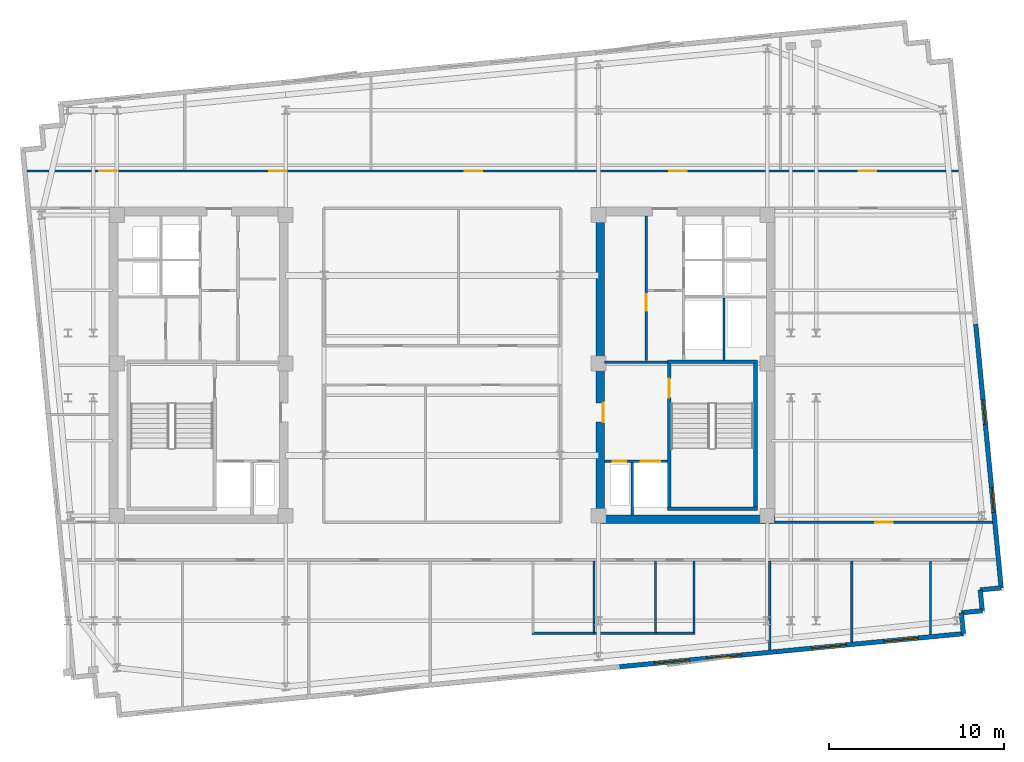
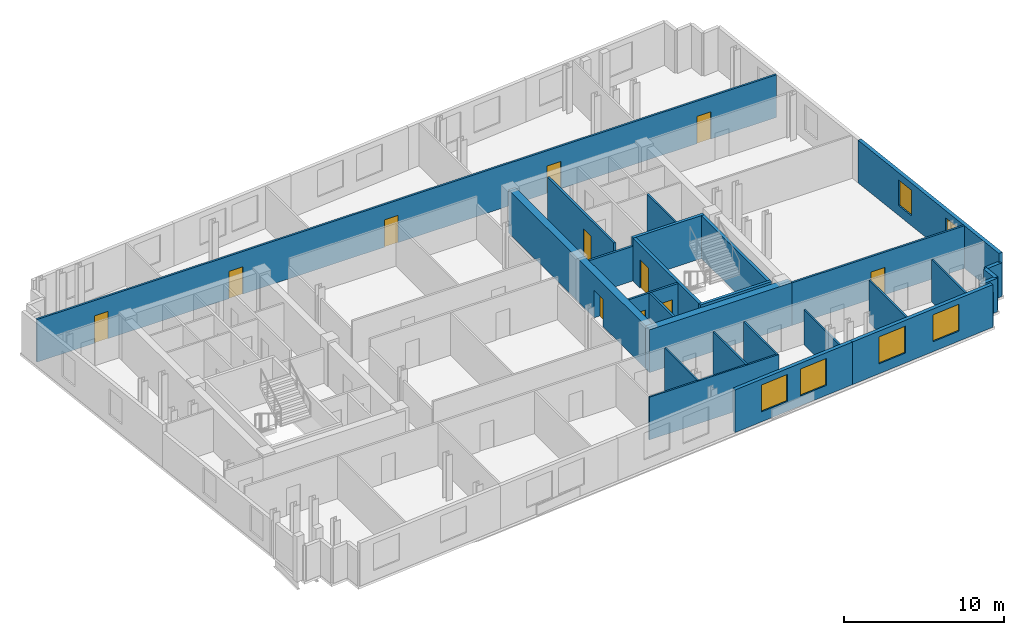
# One storey, part 5 of 9: 27 walls, 11 doors, 6 windows, 17 openings.
"""IFC4 building model written with IfcOpenShell, lengths in metres."""

from ifc_helpers import new_model, si_unit, direction, frame, frame_2d, origin, place, context, subcontext, project, spatial, rectangle, extrude, material, layer, layer_set, type_object, element, fill, save


model = new_model("IFC4")

# Units and contexts
model_context = context("Model", 3, precision=1e-05, world=origin(), true_north=direction((0.0, 1.0)))
body_context = subcontext(model_context, "Body", "Model", "MODEL_VIEW")
ifc_project = project(units=[si_unit("LENGTHUNIT", "METRE"), si_unit("AREAUNIT", "SQUARE_METRE"), si_unit("VOLUMEUNIT", "CUBIC_METRE"), si_unit("PLANEANGLEUNIT", "RADIAN"), si_unit("MASSUNIT", "GRAM", prefix="KILO")], contexts=[model_context])

# Site, building, storey
site_placement = place(None, origin())
site = spatial("IfcSite", under=ifc_project, at=site_placement, CompositionType="ELEMENT")
building_placement = place(site_placement, origin())
building = spatial("IfcBuilding", under=site, at=building_placement, Name="Velakula Bourse", CompositionType="ELEMENT")
storey_placement = place(building_placement, frame((0.0, 0.0, 265.5)))
storey = spatial("IfcBuildingStorey", under=building, at=storey_placement, Name="L72", CompositionType="ELEMENT", Elevation=265.5)

# Wall, opening, door
ifc_material_1 = material(Name="Concrete M50 (fck 50 MPa)", Category="concrete")
ifc_layer_1 = layer(ifc_material_1, 0.2099609375, Name="Concrete M50 (fck 50 MPa)", Category="concrete")
ifc_layer_set_1 = layer_set([ifc_layer_1], Name="Concrete M50 (fck 50 MPa)")
wall_type_1 = type_object("IfcWallType", Name="WL-CORE-210", PredefinedType="SHEAR", material=ifc_layer_set_1)
wall_1_placement = place(storey_placement, frame((12.9951171875, -8.10009765625, 0.0), z_axis=(0.0, 0.0, 1.0), x_axis=(0.0, 1.0, 0.0)))
wall_1 = element("IfcWall", 1, at=wall_1_placement, inside=storey, type_object=wall_type_1, Name="L72 Core E Stairwell Shear Wall IN", PredefinedType="SHEAR", context=body_context, shape_type="SweptSolid", body=[
    extrude(rectangle(XDim=8.2001953125, YDim=0.2099609375, at=frame_2d((4.10009765625, 0.0))), origin(), (0.0, 0.0, 1.0), 3.27001953125),
])
opening_1_placement = place(wall_1_placement, frame((6.25, 0.0, 0.0)))
opening_1 = element("IfcOpeningElement", 2, at=opening_1_placement, cuts=wall_1, Name="Opening D-STE1", PredefinedType="OPENING", context=body_context, shape_type="SweptSolid", body=[
    extrude(rectangle(XDim=1.10009765625, YDim=2.14990234375, at=frame_2d((0.550048828125, 1.074951171875))), frame((0.0, 0.114990234375, 0.0), z_axis=(0.0, -1.0, 0.0), x_axis=(1.0, 0.0, 0.0)), (0.0, 0.0, 1.0), 0.22998046875),
])
ifc_material_2 = material(Name="Galvanised painted hollow steel fire door", Category="steel")
door_type_1 = type_object("IfcDoorType", Name="DR-FD120-1100x2150", OperationType="NOTDEFINED", PredefinedType="DOOR", material=ifc_material_2)
door_1_placement = place(opening_1_placement, origin())
door_1 = element("IfcDoor", 3, at=door_1_placement, inside=storey, type_object=door_type_1, Name="L72 Stair ST-E1 Fire Door", OperationType="SINGLE_SWING_RIGHT", OverallHeight=2.14990234375, OverallWidth=1.10009765625, PredefinedType="DOOR", context=body_context, shape_type="SweptSolid", body=[
    extrude(rectangle(XDim=1.10009765625, YDim=2.14990234375, at=frame_2d((0.550048828125, 1.074951171875))), frame((0.0, 0.02490234375, 0.0), z_axis=(0.0, -1.0, 0.0), x_axis=(1.0, 0.0, 0.0)), (0.0, 0.0, 1.0), 0.050048828125),
])
fill(opening_1, door_1)

# Walls
wall_2_placement = place(storey_placement, frame((17.925048828125, -8.10009765625, 0.0), z_axis=(0.0, 0.0, 1.0), x_axis=(0.0, 1.0, 0.0)))
element("IfcWall", 4, at=wall_2_placement, inside=storey, type_object=wall_type_1, Name="L72 Core E Stairwell Shear Wall OUT", PredefinedType="SHEAR", context=body_context, shape_type="SweptSolid", body=[
    extrude(rectangle(XDim=8.2001953125, YDim=0.2099609375, at=frame_2d((4.10009765625, 0.0))), origin(), (0.0, 0.0, 1.0), 3.27001953125),
])
for number, where, z_axis, x_axis, name in (
    (5, (12.889892578125, -8.205078125, 0.0), (0.0, 0.0, 1.0), (1.0, 0.0, 0.0), "L72 Core E Stairwell Shear Wall S"),
    (6, (18.030029296875, 0.205078125, 0.0), (0.0, 0.0, 1.0), (-1.0, 0.0, 0.0), "L72 Core E Stairwell Shear Wall N"),
):
    element("IfcWall", number, at=place(storey_placement, frame(where, z_axis=z_axis, x_axis=x_axis)), inside=storey, type_object=wall_type_1, Name=name, PredefinedType="SHEAR", context=body_context, shape_type="SweptSolid", body=[
        extrude(rectangle(XDim=5.14013671875, YDim=0.2099609375, at=frame_2d((2.570068359375, 0.0))), origin(), (0.0, 0.0, 1.0), 3.27001953125),
    ])
ifc_layer_2 = layer(ifc_material_1, 0.5, Name="Concrete M50 (fck 50 MPa)", Category="concrete")
ifc_layer_set_2 = layer_set([ifc_layer_2], Name="Concrete M50 (fck 50 MPa)")
wall_type_2 = type_object("IfcWallType", Name="WL-CORE-500", PredefinedType="SHEAR", material=ifc_layer_set_2)
wall_3_placement = place(storey_placement, frame((8.800048828125, -8.800048828125, 0.0), z_axis=(0.0, 0.0, 1.0), x_axis=(1.0, 0.0, 0.0)))
element("IfcWall", 7, at=wall_3_placement, inside=storey, type_object=wall_type_2, Name="L72 Core E Shear Wall S", PredefinedType="SHEAR", context=body_context, shape_type="SweptSolid", body=[
    extrude(rectangle(XDim=10.25, YDim=0.5, at=frame_2d((5.125, 0.0))), origin(), (0.0, 0.0, 1.0), 3.27001953125),
])

# Wall, opening, door
wall_4_placement = place(storey_placement, frame((9.050048828125, -8.550048828125, 0.0), z_axis=(0.0, 0.0, 1.0), x_axis=(0.0, 1.0, 0.0)))
wall_4 = element("IfcWall", 8, at=wall_4_placement, inside=storey, type_object=wall_type_2, Name="L72 Core E Shear Wall W", PredefinedType="SHEAR", context=body_context, shape_type="SweptSolid", body=[
    extrude(rectangle(XDim=17.10009765625, YDim=0.5, at=frame_2d((8.550048828125, 0.0))), origin(), (0.0, 0.0, 1.0), 3.27001953125),
])
opening_2_placement = place(wall_4_placement, frame((5.300048828125, 0.0, 0.0)))
opening_2 = element("IfcOpeningElement", 9, at=opening_2_placement, cuts=wall_4, Name="Opening D-FLE", PredefinedType="OPENING", context=body_context, shape_type="SweptSolid", body=[
    extrude(rectangle(XDim=1.10009765625, YDim=2.080078125, at=frame_2d((0.550048828125, 1.0400390625))), frame((0.0, 0.260009765625, 0.0), z_axis=(0.0, -1.0, 0.0), x_axis=(1.0, 0.0, 0.0)), (0.0, 0.0, 1.0), 0.52001953125),
])
door_type_2 = type_object("IfcDoorType", Name="DR-FD120-1100", OperationType="NOTDEFINED", PredefinedType="DOOR", material=ifc_material_2)
door_2_placement = place(opening_2_placement, origin())
door_2 = element("IfcDoor", 10, at=door_2_placement, inside=storey, type_object=door_type_2, Name="L72 Firefighting Lobby E Corridor Fire Door", OperationType="SINGLE_SWING_RIGHT", OverallHeight=2.080078125, OverallWidth=1.10009765625, PredefinedType="DOOR", context=body_context, shape_type="SweptSolid", body=[
    extrude(rectangle(XDim=1.10009765625, YDim=2.080078125, at=frame_2d((0.550048828125, 1.0400390625))), frame((0.0, -0.15478515625, 0.0), z_axis=(0.0, -1.0, 0.0), x_axis=(1.0, 0.0, 0.0)), (0.0, 0.0, 1.0), 0.050048828125),
])
fill(opening_2, door_2)

# Wall, openings, windows
ifc_material_3 = material(Name="Buff kilned clay facing brick masonry", Category="masonry")
ifc_layer_3 = layer(ifc_material_3, 0.260009765625, Name="Buff kilned clay facing brick masonry", Category="masonry")
ifc_layer_set_3 = layer_set([ifc_layer_3], Name="Buff kilned clay facing brick masonry")
wall_type_3 = type_object("IfcWallType", Name="WL-EXT-BRK-260", PredefinedType="STANDARD", material=ifc_layer_set_3)
wall_5_placement = place(storey_placement, frame((19.119873046875, -16.375244140625, 0.0), z_axis=(0.0, 0.0, 1.0), x_axis=(-0.995396794462, -0.09583956164, 0.0)))
wall_5 = element("IfcWall", 11, at=wall_5_placement, inside=storey, type_object=wall_type_3, Name="L72 S Brick Spandrel Wall B4", PredefinedType="STANDARD", context=body_context, shape_type="SweptSolid", body=[
    extrude(rectangle(XDim=9.0, YDim=0.260009765625, at=frame_2d((4.5, 0.0))), origin(), (0.0, 0.0, 1.0), 3.25),
])
opening_3_placement = place(wall_5_placement, frame((2.0, 0.0, 0.760009765625)))
opening_3 = element("IfcOpeningElement", 12, at=opening_3_placement, cuts=wall_5, Name="Opening W-05", PredefinedType="OPENING", context=body_context, shape_type="SweptSolid", body=[
    extrude(rectangle(XDim=2.0, YDim=2.050048828125, at=frame_2d((1.0, 1.02490234375))), frame((0.0, 0.139892578125, 0.0), z_axis=(0.0, -1.0, 0.0), x_axis=(1.0, 0.0, 0.0)), (0.0, 0.0, 1.0), 0.280029296875),
])
opening_4_placement = place(wall_5_placement, frame((5.0, 0.0, 0.760009765625)))
opening_4 = element("IfcOpeningElement", 13, at=opening_4_placement, cuts=wall_5, Name="Opening W-05", PredefinedType="OPENING", context=body_context, shape_type="SweptSolid", body=[
    extrude(rectangle(XDim=2.0, YDim=2.050048828125, at=frame_2d((1.0, 1.02490234375))), frame((0.0, 0.139892578125, 0.0), z_axis=(0.0, -1.0, 0.0), x_axis=(1.0, 0.0, 0.0)), (0.0, 0.0, 1.0), 0.280029296875),
])
ifc_material_4 = material(Name="Double-glazed solar-control Low-E glass", Category="glass")
window_type_1 = type_object("IfcWindowType", Name="WIN-TWR-2000x2200", PartitioningType="DOUBLE_PANEL_VERTICAL", PredefinedType="WINDOW", material=ifc_material_4)
window_1_placement = place(opening_3_placement, origin())
window_1 = element("IfcWindow", 14, at=window_1_placement, inside=storey, type_object=window_type_1, Name="L72 Deep-Set Recessed Window 1", OverallHeight=2.050048828125, OverallWidth=2.0, PartitioningType="DOUBLE_PANEL_VERTICAL", PredefinedType="WINDOW", context=body_context, shape_type="SweptSolid", body=[
    extrude(rectangle(XDim=2.0, YDim=2.050048828125, at=frame_2d((1.0, 1.02490234375))), frame((0.0, 0.030029296875, 0.0), z_axis=(0.0, -1.0, 0.0), x_axis=(1.0, 0.0, 0.0)), (0.0, 0.0, 1.0), 0.06005859375),
])
fill(opening_3, window_1)
window_2_placement = place(opening_4_placement, origin())
window_2 = element("IfcWindow", 15, at=window_2_placement, inside=storey, type_object=window_type_1, Name="L72 Deep-Set Recessed Window 2", OverallHeight=2.050048828125, OverallWidth=2.0, PartitioningType="DOUBLE_PANEL_VERTICAL", PredefinedType="WINDOW", context=body_context, shape_type="SweptSolid", body=[
    extrude(rectangle(XDim=2.0, YDim=2.050048828125, at=frame_2d((1.0, 1.02490234375))), frame((0.0, 0.030029296875, 0.0), z_axis=(0.0, -1.0, 0.0), x_axis=(1.0, 0.0, 0.0)), (0.0, 0.0, 1.0), 0.06005859375),
])
fill(opening_4, window_2)

wall_6_placement = place(storey_placement, frame((29.820556640625, -15.344970703125, 0.0), z_axis=(0.0, 0.0, 1.0), x_axis=(-0.995396954468, -0.095837899791, 0.0)))
wall_6 = element("IfcWall", 16, at=wall_6_placement, inside=storey, type_object=wall_type_3, Name="L72 S Brick Spandrel Wall B5", PredefinedType="STANDARD", context=body_context, shape_type="SweptSolid", body=[
    extrude(rectangle(XDim=10.750244140625, YDim=0.260009765625, at=frame_2d((5.375, 0.0))), origin(), (0.0, 0.0, 1.0), 3.25),
])
opening_5_placement = place(wall_6_placement, frame((2.583251953125, 0.0, 0.760009765625)))
opening_5 = element("IfcOpeningElement", 17, at=opening_5_placement, cuts=wall_6, Name="Opening W-05", PredefinedType="OPENING", context=body_context, shape_type="SweptSolid", body=[
    extrude(rectangle(XDim=2.0, YDim=2.050048828125, at=frame_2d((1.0, 1.02490234375))), frame((0.0, 0.139892578125, 0.0), z_axis=(0.0, -1.0, 0.0), x_axis=(1.0, 0.0, 0.0)), (0.0, 0.0, 1.0), 0.280029296875),
])
opening_6_placement = place(wall_6_placement, frame((6.716796875, 0.0, 0.760009765625)))
opening_6 = element("IfcOpeningElement", 18, at=opening_6_placement, cuts=wall_6, Name="Opening W-05", PredefinedType="OPENING", context=body_context, shape_type="SweptSolid", body=[
    extrude(rectangle(XDim=2.0, YDim=2.050048828125, at=frame_2d((1.0, 1.02490234375))), frame((0.0, 0.139892578125, 0.0), z_axis=(0.0, -1.0, 0.0), x_axis=(1.0, 0.0, 0.0)), (0.0, 0.0, 1.0), 0.280029296875),
])
window_3_placement = place(opening_5_placement, origin())
window_3 = element("IfcWindow", 19, at=window_3_placement, inside=storey, type_object=window_type_1, Name="L72 Deep-Set Recessed Window 1", OverallHeight=2.050048828125, OverallWidth=2.0, PartitioningType="DOUBLE_PANEL_VERTICAL", PredefinedType="WINDOW", context=body_context, shape_type="SweptSolid", body=[
    extrude(rectangle(XDim=2.0, YDim=2.050048828125, at=frame_2d((1.0, 1.02490234375))), frame((0.0, 0.030029296875, 0.0), z_axis=(0.0, -1.0, 0.0), x_axis=(1.0, 0.0, 0.0)), (0.0, 0.0, 1.0), 0.06005859375),
])
fill(opening_5, window_3)
window_4_placement = place(opening_6_placement, origin())
window_4 = element("IfcWindow", 20, at=window_4_placement, inside=storey, type_object=window_type_1, Name="L72 Deep-Set Recessed Window 2", OverallHeight=2.050048828125, OverallWidth=2.0, PartitioningType="DOUBLE_PANEL_VERTICAL", PredefinedType="WINDOW", context=body_context, shape_type="SweptSolid", body=[
    extrude(rectangle(XDim=2.0, YDim=2.050048828125, at=frame_2d((1.0, 1.02490234375))), frame((0.0, 0.030029296875, 0.0), z_axis=(0.0, -1.0, 0.0), x_axis=(1.0, 0.0, 0.0)), (0.0, 0.0, 1.0), 0.06005859375),
])
fill(opening_6, window_4)

wall_7_placement = place(storey_placement, frame((30.52734375, 2.354248046875, 0.0), z_axis=(0.0, 0.0, 1.0), x_axis=(0.095850890337, -0.995395703638, 0.0)))
wall_7 = element("IfcWall", 21, at=wall_7_placement, inside=storey, type_object=wall_type_3, Name="L72 E Brick End Wall W1", PredefinedType="STANDARD", context=body_context, shape_type="SweptSolid", body=[
    extrude(rectangle(XDim=15.150146484375, YDim=0.260009765625, at=frame_2d((7.5751953125, 0.0))), origin(), (0.0, 0.0, 1.0), 3.25),
])
opening_7_placement = place(wall_7_placement, frame((4.35009765625, 0.0, 0.760009765625)))
opening_7 = element("IfcOpeningElement", 22, at=opening_7_placement, cuts=wall_7, Name="Opening W-03", PredefinedType="OPENING", context=body_context, shape_type="SweptSolid", body=[
    extrude(rectangle(XDim=1.39990234375, YDim=1.949951171875, at=frame_2d((0.699951171875, 0.97509765625))), frame((0.0, 0.139892578125, 0.0), z_axis=(0.0, -1.0, 0.0), x_axis=(1.0, 0.0, 0.0)), (0.0, 0.0, 1.0), 0.280029296875),
])
opening_8_placement = place(wall_7_placement, frame((9.39990234375, 0.0, 0.760009765625)))
opening_8 = element("IfcOpeningElement", 23, at=opening_8_placement, cuts=wall_7, Name="Opening W-03", PredefinedType="OPENING", context=body_context, shape_type="SweptSolid", body=[
    extrude(rectangle(XDim=1.39990234375, YDim=1.949951171875, at=frame_2d((0.699951171875, 0.97509765625))), frame((0.0, 0.139892578125, 0.0), z_axis=(0.0, -1.0, 0.0), x_axis=(1.0, 0.0, 0.0)), (0.0, 0.0, 1.0), 0.280029296875),
])
window_type_2 = type_object("IfcWindowType", Name="WIN-TWR-1400x2100", PartitioningType="SINGLE_PANEL", PredefinedType="WINDOW", material=ifc_material_4)
window_5_placement = place(opening_7_placement, origin())
window_5 = element("IfcWindow", 24, at=window_5_placement, inside=storey, type_object=window_type_2, Name="L72 Deep-Set Recessed Window 1", OverallHeight=1.949951171875, OverallWidth=1.39990234375, PartitioningType="SINGLE_PANEL", PredefinedType="WINDOW", context=body_context, shape_type="SweptSolid", body=[
    extrude(rectangle(XDim=1.39990234375, YDim=1.949951171875, at=frame_2d((0.699951171875, 0.97509765625))), frame((0.0, 0.030029296875, 0.0), z_axis=(0.0, -1.0, 0.0), x_axis=(1.0, 0.0, 0.0)), (0.0, 0.0, 1.0), 0.06005859375),
])
fill(opening_7, window_5)
window_6_placement = place(opening_8_placement, origin())
window_6 = element("IfcWindow", 25, at=window_6_placement, inside=storey, type_object=window_type_2, Name="L72 Deep-Set Recessed Window 2", OverallHeight=1.949951171875, OverallWidth=1.39990234375, PartitioningType="SINGLE_PANEL", PredefinedType="WINDOW", context=body_context, shape_type="SweptSolid", body=[
    extrude(rectangle(XDim=1.39990234375, YDim=1.949951171875, at=frame_2d((0.699951171875, 0.97509765625))), frame((0.0, 0.030029296875, 0.0), z_axis=(0.0, -1.0, 0.0), x_axis=(1.0, 0.0, 0.0)), (0.0, 0.0, 1.0), 0.06005859375),
])
fill(opening_8, window_6)

# Walls
for number, where, z_axis, x_axis, name in (
    (26, (29.820556640625, -15.344970703125, 0.0), (0.0, 0.0, 1.0), (-0.096018626938, 0.995379537303, 0.0), "L72 Serrated Corner Brick Wall SE-1"),
    (27, (29.705322265625, -14.150390625, 0.0), (0.0, 0.0, 1.0), (0.995398960025, 0.095817067274, 0.0), "L72 Serrated Corner Brick Wall SE-2"),
):
    element("IfcWall", number, at=place(storey_placement, frame(where, z_axis=z_axis, x_axis=x_axis)), inside=storey, type_object=wall_type_3, Name=name, PredefinedType="STANDARD", context=body_context, shape_type="SweptSolid", body=[
        extrude(rectangle(XDim=1.2001953125, YDim=0.260009765625, at=frame_2d((0.60009765625, 0.0))), origin(), (0.0, 0.0, 1.0), 2.56494140625),
    ])
wall_8_placement = place(storey_placement, frame((30.89990234375, -14.035400390625, 0.0), z_axis=(0.0, 0.0, 1.0), x_axis=(-0.095836473879, 0.995397091755, 0.0)))
element("IfcWall", 28, at=wall_8_placement, inside=storey, type_object=wall_type_3, Name="L72 Serrated Corner Brick Wall SE-3", PredefinedType="STANDARD", context=body_context, shape_type="SweptSolid", body=[
    extrude(rectangle(XDim=1.199951171875, YDim=0.260009765625, at=frame_2d((0.60009765625, 0.0))), origin(), (0.0, 0.0, 1.0), 2.56494140625),
])
wall_9_placement = place(storey_placement, frame((30.784912109375, -12.841064453125, 0.0), z_axis=(0.0, 0.0, 1.0), x_axis=(0.995398960025, 0.095817067274, 0.0)))
element("IfcWall", 29, at=wall_9_placement, inside=storey, type_object=wall_type_3, Name="L72 Serrated Corner Brick Wall SE-4", PredefinedType="STANDARD", context=body_context, shape_type="SweptSolid", body=[
    extrude(rectangle(XDim=1.2001953125, YDim=0.260009765625, at=frame_2d((0.60009765625, 0.0))), origin(), (0.0, 0.0, 1.0), 2.56494140625),
])
ifc_material_5 = material(Name="Fire-rated double-layer gypsum drywall partition", Category="gypsum")
ifc_layer_4 = layer(ifc_material_5, 0.1201171875, Name="Fire-rated double-layer gypsum drywall partition", Category="gypsum")
ifc_layer_set_4 = layer_set([ifc_layer_4], Name="Fire-rated double-layer gypsum drywall partition")
wall_type_4 = type_object("IfcWallType", Name="WL-PART-120", PredefinedType="STANDARD", material=ifc_layer_set_4)
wall_10_placement = place(storey_placement, frame((16.125, 0.27001953125, 0.0), z_axis=(0.0, 0.0, 1.0), x_axis=(0.0, 1.0, 0.0)))
element("IfcWall", 30, at=wall_10_placement, inside=storey, type_object=wall_type_4, Name="L72 Interior Partition WL-CRE-L72-SVL-E", PredefinedType="STANDARD", context=body_context, shape_type="SweptSolid", body=[
    extrude(rectangle(XDim=3.590087890625, YDim=0.1201171875, at=frame_2d((1.794921875, 0.0))), origin(), (0.0, 0.0, 1.0), 3.25),
])
wall_11_placement = place(storey_placement, frame((5.139892578125, -15.320068359375, 0.0), z_axis=(0.0, 0.0, 1.0), x_axis=(1.0, 0.0, 0.0)))
element("IfcWall", 31, at=wall_11_placement, inside=storey, type_object=wall_type_4, Name="L72 Interior Partition WL-WC-L72-BACK", PredefinedType="STANDARD", context=body_context, shape_type="SweptSolid", body=[
    extrude(rectangle(XDim=9.320068359375, YDim=0.1201171875, at=frame_2d((4.66015625, 0.0))), origin(), (0.0, 0.0, 1.0), 3.25),
])
for number, where, z_axis, x_axis, name in (
    (32, (8.699951171875, -15.320068359375, 0.0), (0.0, 0.0, 1.0), (0.0, 1.0, 0.0), "L72 Interior Partition WL-WC-L72-V2"),
    (33, (12.199951171875, -15.320068359375, 0.0), (0.0, 0.0, 1.0), (0.0, 1.0, 0.0), "L72 Interior Partition WL-WC-L72-V3"),
    (34, (14.39990234375, -15.320068359375, 0.0), (0.0, 0.0, 1.0), (0.0, 1.0, 0.0), "L72 Interior Partition WL-WC-L72-V4"),
):
    element("IfcWall", number, at=place(storey_placement, frame(where, z_axis=z_axis, x_axis=x_axis)), inside=storey, type_object=wall_type_4, Name=name, PredefinedType="STANDARD", context=body_context, shape_type="SweptSolid", body=[
        extrude(rectangle(XDim=4.130126953125, YDim=0.1201171875, at=frame_2d((2.06494140625, 0.0))), origin(), (0.0, 0.0, 1.0), 3.25),
    ])
wall_12_placement = place(storey_placement, frame((18.742919921875, -16.281005859375, 0.0), z_axis=(0.0, 0.0, 1.0), x_axis=(0.0, 1.0, 0.0)))
element("IfcWall", 35, at=wall_12_placement, inside=storey, type_object=wall_type_4, Name="L72 Interior Partition WL-INT-L72-SR-D8", PredefinedType="STANDARD", context=body_context, shape_type="SweptSolid", body=[
    extrude(rectangle(XDim=5.091064453125, YDim=0.1201171875, at=frame_2d((2.54541015625, 0.0))), origin(), (0.0, 0.0, 1.0), 2.64501953125),
])
wall_13_placement = place(storey_placement, frame((23.43310546875, -15.829345703125, 0.0), z_axis=(0.0, 0.0, 1.0), x_axis=(0.0, 1.0, 0.0)))
element("IfcWall", 36, at=wall_13_placement, inside=storey, type_object=wall_type_4, Name="L72 Interior Partition WL-INT-L72-SR-D9", PredefinedType="STANDARD", context=body_context, shape_type="SweptSolid", body=[
    extrude(rectangle(XDim=4.639404296875, YDim=0.1201171875, at=frame_2d((2.31982421875, 0.0))), origin(), (0.0, 0.0, 1.0), 3.25),
])
wall_14_placement = place(storey_placement, frame((27.949951171875, -15.394287109375, 0.0), z_axis=(0.0, 0.0, 1.0), x_axis=(0.0, 1.0, 0.0)))
element("IfcWall", 37, at=wall_14_placement, inside=storey, type_object=wall_type_4, Name="L72 Interior Partition WL-INT-L72-SR-D10", PredefinedType="STANDARD", context=body_context, shape_type="SweptSolid", body=[
    extrude(rectangle(XDim=4.204345703125, YDim=0.1201171875, at=frame_2d((2.10205078125, 0.0))), origin(), (0.0, 0.0, 1.0), 3.25),
])

# Wall, openings, doors
ifc_layer_5 = layer(ifc_material_5, 0.139892578125, Name="Fire-rated double-layer gypsum drywall partition", Category="gypsum")
ifc_layer_set_5 = layer_set([ifc_layer_5], Name="Fire-rated double-layer gypsum drywall partition")
wall_type_5 = type_object("IfcWallType", Name="WL-PART-140", PredefinedType="STANDARD", material=ifc_layer_set_5)
wall_15_placement = place(storey_placement, frame((-23.732666015625, 11.1201171875, 0.0), z_axis=(0.0, 0.0, 1.0), x_axis=(1.0, 0.0, 0.0)))
wall_15 = element("IfcWall", 38, at=wall_15_placement, inside=storey, type_object=wall_type_5, Name="L72 Interior Partition WL-INT-L72-N-CORR", PredefinedType="STANDARD", context=body_context, shape_type="SweptSolid", body=[
    extrude(rectangle(XDim=53.285400390625, YDim=0.139892578125, at=frame_2d((26.642578125, 0.0))), origin(), (0.0, 0.0, 1.0), 3.25),
])
opening_9_placement = place(wall_15_placement, frame((4.13330078125, 0.0, 0.0)))
opening_9 = element("IfcOpeningElement", 39, at=opening_9_placement, cuts=wall_15, Name="Opening D-OF1", PredefinedType="OPENING", context=body_context, shape_type="SweptSolid", body=[
    extrude(rectangle(XDim=1.0, YDim=2.080078125, at=frame_2d((0.5, 1.0400390625))), frame((0.0, 0.079833984375, 0.0), z_axis=(0.0, -1.0, 0.0), x_axis=(1.0, 0.0, 0.0)), (0.0, 0.0, 1.0), 0.159912109375),
])
opening_10_placement = place(wall_15_placement, frame((13.840087890625, 0.0, 0.0)))
opening_10 = element("IfcOpeningElement", 40, at=opening_10_placement, cuts=wall_15, Name="Opening D-OF1", PredefinedType="OPENING", context=body_context, shape_type="SweptSolid", body=[
    extrude(rectangle(XDim=1.0, YDim=2.080078125, at=frame_2d((0.5, 1.0400390625))), frame((0.0, 0.079833984375, 0.0), z_axis=(0.0, -1.0, 0.0), x_axis=(1.0, 0.0, 0.0)), (0.0, 0.0, 1.0), 0.159912109375),
])
opening_11_placement = place(wall_15_placement, frame((25.024169921875, 0.0, 0.0)))
opening_11 = element("IfcOpeningElement", 41, at=opening_11_placement, cuts=wall_15, Name="Opening D-OF1", PredefinedType="OPENING", context=body_context, shape_type="SweptSolid", body=[
    extrude(rectangle(XDim=1.0, YDim=2.080078125, at=frame_2d((0.5, 1.0400390625))), frame((0.0, 0.079833984375, 0.0), z_axis=(0.0, -1.0, 0.0), x_axis=(1.0, 0.0, 0.0)), (0.0, 0.0, 1.0), 0.159912109375),
])
opening_12_placement = place(wall_15_placement, frame((36.7412109375, 0.0, 0.0)))
opening_12 = element("IfcOpeningElement", 42, at=opening_12_placement, cuts=wall_15, Name="Opening D-OF1", PredefinedType="OPENING", context=body_context, shape_type="SweptSolid", body=[
    extrude(rectangle(XDim=1.0, YDim=2.080078125, at=frame_2d((0.5, 1.0400390625))), frame((0.0, 0.079833984375, 0.0), z_axis=(0.0, -1.0, 0.0), x_axis=(1.0, 0.0, 0.0)), (0.0, 0.0, 1.0), 0.159912109375),
])
opening_13_placement = place(wall_15_placement, frame((47.56640625, 0.0, 0.0)))
opening_13 = element("IfcOpeningElement", 43, at=opening_13_placement, cuts=wall_15, Name="Opening D-OF1", PredefinedType="OPENING", context=body_context, shape_type="SweptSolid", body=[
    extrude(rectangle(XDim=1.0, YDim=2.080078125, at=frame_2d((0.5, 1.0400390625))), frame((0.0, 0.079833984375, 0.0), z_axis=(0.0, -1.0, 0.0), x_axis=(1.0, 0.0, 0.0)), (0.0, 0.0, 1.0), 0.159912109375),
])
ifc_material_6 = material(Name="Fire-rated hardwood flush architectural door", Category="wood")
door_type_3 = type_object("IfcDoorType", Name="DR-OFF-1000", OperationType="NOTDEFINED", PredefinedType="DOOR", material=ifc_material_6)
door_3_placement = place(opening_9_placement, origin())
door_3 = element("IfcDoor", 44, at=door_3_placement, inside=storey, type_object=door_type_3, Name="L72 Quantitative Research Workspace Door", OperationType="SINGLE_SWING_LEFT", OverallHeight=2.080078125, OverallWidth=1.0, PredefinedType="DOOR", context=body_context, shape_type="SweptSolid", body=[
    extrude(rectangle(XDim=1.0, YDim=2.080078125, at=frame_2d((0.5, 1.0400390625))), frame((0.0, 0.02490234375, 0.0), z_axis=(0.0, -1.0, 0.0), x_axis=(1.0, 0.0, 0.0)), (0.0, 0.0, 1.0), 0.050048828125),
])
fill(opening_9, door_3)
door_4_placement = place(opening_10_placement, origin())
door_4 = element("IfcDoor", 45, at=door_4_placement, inside=storey, type_object=door_type_3, Name="L72 Risk Review Boardroom Door", OperationType="SINGLE_SWING_RIGHT", OverallHeight=2.080078125, OverallWidth=1.0, PredefinedType="DOOR", context=body_context, shape_type="SweptSolid", body=[
    extrude(rectangle(XDim=1.0, YDim=2.080078125, at=frame_2d((0.5, 1.0400390625))), frame((0.0, 0.02490234375, 0.0), z_axis=(0.0, -1.0, 0.0), x_axis=(1.0, 0.0, 0.0)), (0.0, 0.0, 1.0), 0.050048828125),
])
fill(opening_10, door_4)
door_5_placement = place(opening_11_placement, origin())
door_5 = element("IfcDoor", 46, at=door_5_placement, inside=storey, type_object=door_type_3, Name="L72 Catering Servery Pantry Door", OperationType="SINGLE_SWING_LEFT", OverallHeight=2.080078125, OverallWidth=1.0, PredefinedType="DOOR", context=body_context, shape_type="SweptSolid", body=[
    extrude(rectangle(XDim=1.0, YDim=2.080078125, at=frame_2d((0.5, 1.0400390625))), frame((0.0, 0.02490234375, 0.0), z_axis=(0.0, -1.0, 0.0), x_axis=(1.0, 0.0, 0.0)), (0.0, 0.0, 1.0), 0.050048828125),
])
fill(opening_11, door_5)
door_6_placement = place(opening_12_placement, origin())
door_6 = element("IfcDoor", 47, at=door_6_placement, inside=storey, type_object=door_type_3, Name="L72 Traders Bistro Restaurant Door", OperationType="SINGLE_SWING_RIGHT", OverallHeight=2.080078125, OverallWidth=1.0, PredefinedType="DOOR", context=body_context, shape_type="SweptSolid", body=[
    extrude(rectangle(XDim=1.0, YDim=2.080078125, at=frame_2d((0.5, 1.0400390625))), frame((0.0, 0.02490234375, 0.0), z_axis=(0.0, -1.0, 0.0), x_axis=(1.0, 0.0, 0.0)), (0.0, 0.0, 1.0), 0.050048828125),
])
fill(opening_12, door_6)
door_7_placement = place(opening_13_placement, origin())
door_7 = element("IfcDoor", 48, at=door_7_placement, inside=storey, type_object=door_type_3, Name="L72 Asset Allocation Office Door", OperationType="SINGLE_SWING_LEFT", OverallHeight=2.080078125, OverallWidth=1.0, PredefinedType="DOOR", context=body_context, shape_type="SweptSolid", body=[
    extrude(rectangle(XDim=1.0, YDim=2.080078125, at=frame_2d((0.5, 1.0400390625))), frame((0.0, 0.02490234375, 0.0), z_axis=(0.0, -1.0, 0.0), x_axis=(1.0, 0.0, 0.0)), (0.0, 0.0, 1.0), 0.050048828125),
])
fill(opening_13, door_7)

# Wall, opening, door
wall_16_placement = place(storey_placement, frame((19.050048828125, -8.97998046875, 0.0), z_axis=(0.0, 0.0, 1.0), x_axis=(1.0, 0.0, 0.0)))
wall_16 = element("IfcWall", 49, at=wall_16_placement, inside=storey, type_object=wall_type_5, Name="L72 Interior Partition WL-INT-L72-E-SC", PredefinedType="STANDARD", context=body_context, shape_type="SweptSolid", body=[
    extrude(rectangle(XDim=12.43798828125, YDim=0.139892578125, at=frame_2d((6.218994140625, 0.0))), origin(), (0.0, 0.0, 1.0), 3.25),
])
opening_14_placement = place(wall_16_placement, frame((5.718994140625, 0.0, 0.0)))
opening_14 = element("IfcOpeningElement", 50, at=opening_14_placement, cuts=wall_16, Name="Opening D-OF1", PredefinedType="OPENING", context=body_context, shape_type="SweptSolid", body=[
    extrude(rectangle(XDim=1.0, YDim=2.080078125, at=frame_2d((0.5, 1.0400390625))), frame((0.0, 0.079833984375, 0.0), z_axis=(0.0, -1.0, 0.0), x_axis=(1.0, 0.0, 0.0)), (0.0, 0.0, 1.0), 0.159912109375),
])
door_8_placement = place(opening_14_placement, origin())
door_8 = element("IfcDoor", 51, at=door_8_placement, inside=storey, type_object=door_type_3, Name="L72 Central Depository Workspace Door", OperationType="SINGLE_SWING_RIGHT", OverallHeight=2.080078125, OverallWidth=1.0, PredefinedType="DOOR", context=body_context, shape_type="SweptSolid", body=[
    extrude(rectangle(XDim=1.0, YDim=2.080078125, at=frame_2d((0.5, 1.0400390625))), frame((0.0, 0.02490234375, 0.0), z_axis=(0.0, -1.0, 0.0), x_axis=(1.0, 0.0, 0.0)), (0.0, 0.0, 1.0), 0.050048828125),
])
fill(opening_14, door_8)

# Wall, openings, doors
ifc_material_7 = material(Name="Autoclaved aerated concrete blockwork masonry", Category="masonry")
ifc_layer_6 = layer(ifc_material_7, 0.14990234375, Name="Autoclaved aerated concrete blockwork masonry", Category="masonry")
ifc_layer_set_6 = layer_set([ifc_layer_6], Name="Autoclaved aerated concrete blockwork masonry")
wall_type_6 = type_object("IfcWallType", Name="WL-SHAFT-150", PredefinedType="STANDARD", material=ifc_layer_set_6)
wall_17_placement = place(storey_placement, frame((9.300048828125, -5.47509765625, 0.0), z_axis=(0.0, 0.0, 1.0), x_axis=(1.0, 0.0, 0.0)))
wall_17 = element("IfcWall", 52, at=wall_17_placement, inside=storey, type_object=wall_type_6, Name="L72 Interior Partition WL-CRE-L72-FFL-N", PredefinedType="STANDARD", context=body_context, shape_type="SweptSolid", body=[
    extrude(rectangle(XDim=3.594970703125, YDim=0.14990234375, at=frame_2d((1.79736328125, 0.0))), origin(), (0.0, 0.0, 1.0), 3.25),
])
opening_15_placement = place(wall_17_placement, frame((2.074951171875, 0.0, 0.0)))
opening_15 = element("IfcOpeningElement", 53, at=opening_15_placement, cuts=wall_17, Name="Opening LD-FFL-2", PredefinedType="OPENING", context=body_context, shape_type="SweptSolid", body=[
    extrude(rectangle(XDim=1.10009765625, YDim=2.14990234375, at=frame_2d((0.550048828125, 1.074951171875))), frame((0.0, 0.0849609375, 0.0), z_axis=(0.0, -1.0, 0.0), x_axis=(1.0, 0.0, 0.0)), (0.0, 0.0, 1.0), 0.169921875),
])
opening_16_placement = place(wall_17_placement, frame((0.47509765625, 0.0, 0.0)))
opening_16 = element("IfcOpeningElement", 54, at=opening_16_placement, cuts=wall_17, Name="Opening D-RS1", PredefinedType="OPENING", context=body_context, shape_type="SweptSolid", body=[
    extrude(rectangle(XDim=0.75, YDim=2.050048828125, at=frame_2d((0.375, 1.02490234375))), frame((0.0, 0.0849609375, 0.0), z_axis=(0.0, -1.0, 0.0), x_axis=(1.0, 0.0, 0.0)), (0.0, 0.0, 1.0), 0.169921875),
])
door_type_4 = type_object("IfcDoorType", Name="DR-RISER-800", OperationType="NOTDEFINED", PredefinedType="DOOR", material=ifc_material_2)
door_9_placement = place(opening_16_placement, origin())
door_9 = element("IfcDoor", 55, at=door_9_placement, inside=storey, type_object=door_type_4, Name="L72 Fire Riser Access Door", OperationType="SINGLE_SWING_LEFT", OverallHeight=2.050048828125, OverallWidth=0.75, PredefinedType="DOOR", context=body_context, shape_type="SweptSolid", body=[
    extrude(rectangle(XDim=0.75, YDim=2.050048828125, at=frame_2d((0.375, 1.02490234375))), frame((0.0, 0.02490234375, 0.0), z_axis=(0.0, -1.0, 0.0), x_axis=(1.0, 0.0, 0.0)), (0.0, 0.0, 1.0), 0.050048828125),
])
fill(opening_16, door_9)
ifc_material_8 = material(Name="Brushed grade 316 stainless steel", Category="steel")
door_type_5 = type_object("IfcDoorType", Name="DR-SLIDE-FFL-1100", OperationType="DOUBLE_DOOR_SLIDING", PredefinedType="DOOR", material=ifc_material_8)
door_10_placement = place(opening_15_placement, origin())
door_10 = element("IfcDoor", 56, at=door_10_placement, inside=storey, type_object=door_type_5, Name="L72 Firefighting Lift FFL-2 Sliding Landing Door", OperationType="DOUBLE_DOOR_SLIDING", OverallHeight=2.14990234375, OverallWidth=1.10009765625, PredefinedType="DOOR", context=body_context, shape_type="SweptSolid", body=[
    extrude(rectangle(XDim=1.10009765625, YDim=2.14990234375, at=frame_2d((0.550048828125, 1.074951171875))), frame((0.0, 0.02490234375, 0.0), z_axis=(0.0, -1.0, 0.0), x_axis=(1.0, 0.0, 0.0)), (0.0, 0.0, 1.0), 0.050048828125),
])
fill(opening_15, door_10)

# Walls
wall_18_placement = place(storey_placement, frame((10.875, -8.550048828125, 0.0), z_axis=(0.0, 0.0, 1.0), x_axis=(0.0, 1.0, 0.0)))
element("IfcWall", 57, at=wall_18_placement, inside=storey, type_object=wall_type_6, Name="L72 Interior Partition WL-CRE-L72-FR-DIV", PredefinedType="STANDARD", context=body_context, shape_type="SweptSolid", body=[
    extrude(rectangle(XDim=3.0, YDim=0.14990234375, at=frame_2d((1.5, 0.0))), origin(), (0.0, 0.0, 1.0), 3.25),
])
wall_19_placement = place(storey_placement, frame((9.300048828125, 0.18994140625, 0.0), z_axis=(0.0, 0.0, 1.0), x_axis=(1.0, 0.0, 0.0)))
element("IfcWall", 58, at=wall_19_placement, inside=storey, type_object=wall_type_6, Name="L72 Interior Partition WL-CRE-L72-FF-TOP", PredefinedType="STANDARD", context=body_context, shape_type="SweptSolid", body=[
    extrude(rectangle(XDim=3.58984375, YDim=0.14990234375, at=frame_2d((1.794921875, 0.0))), origin(), (0.0, 0.0, 1.0), 2.64501953125),
])

# Wall, opening, door
wall_20_placement = place(storey_placement, frame((11.675048828125, 0.27001953125, 0.0), z_axis=(0.0, 0.0, 1.0), x_axis=(0.0, 1.0, 0.0)))
wall_20 = element("IfcWall", 59, at=wall_20_placement, inside=storey, type_object=wall_type_6, Name="L72 Interior Partition WL-CRE-L72-BANK-F", PredefinedType="STANDARD", context=body_context, shape_type="SweptSolid", body=[
    extrude(rectangle(XDim=8.280029296875, YDim=0.14990234375, at=frame_2d((4.14013671875, 0.0))), origin(), (0.0, 0.0, 1.0), 3.25),
])
opening_17_placement = place(wall_20_placement, frame((2.85009765625, 0.0, 0.0)))
opening_17 = element("IfcOpeningElement", 60, at=opening_17_placement, cuts=wall_20, Name="Opening D-RC5", PredefinedType="OPENING", context=body_context, shape_type="SweptSolid", body=[
    extrude(rectangle(XDim=0.949951171875, YDim=2.050048828125, at=frame_2d((0.47509765625, 1.02490234375))), frame((0.0, 0.0849609375, 0.0), z_axis=(0.0, -1.0, 0.0), x_axis=(1.0, 0.0, 0.0)), (0.0, 0.0, 1.0), 0.169921875),
])
door_type_6 = type_object("IfcDoorType", Name="DR-FD60-950x2050", OperationType="NOTDEFINED", PredefinedType="DOOR", material=ifc_material_6)
door_11_placement = place(opening_17_placement, origin())
door_11 = element("IfcDoor", 61, at=door_11_placement, inside=storey, type_object=door_type_6, Name="L72 Reclaimed Multi-Bay Depository Room Door", OperationType="SINGLE_SWING_LEFT", OverallHeight=2.050048828125, OverallWidth=0.949951171875, PredefinedType="DOOR", context=body_context, shape_type="SweptSolid", body=[
    extrude(rectangle(XDim=0.949951171875, YDim=2.050048828125, at=frame_2d((0.47509765625, 1.02490234375))), frame((0.0, 0.02490234375, 0.0), z_axis=(0.0, -1.0, 0.0), x_axis=(1.0, 0.0, 0.0)), (0.0, 0.0, 1.0), 0.050048828125),
])
fill(opening_17, door_11)

save(model, "model.ifc")
